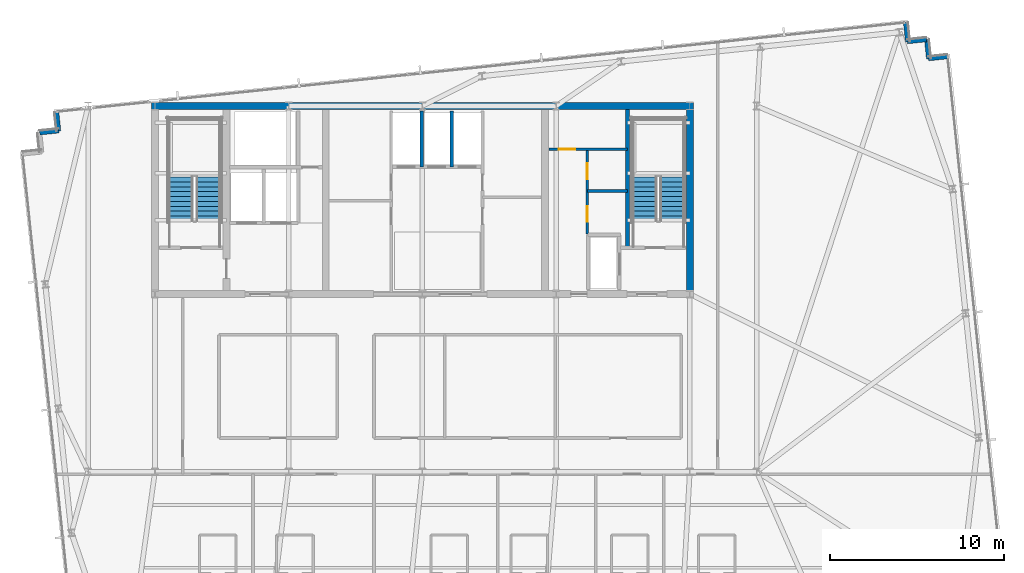
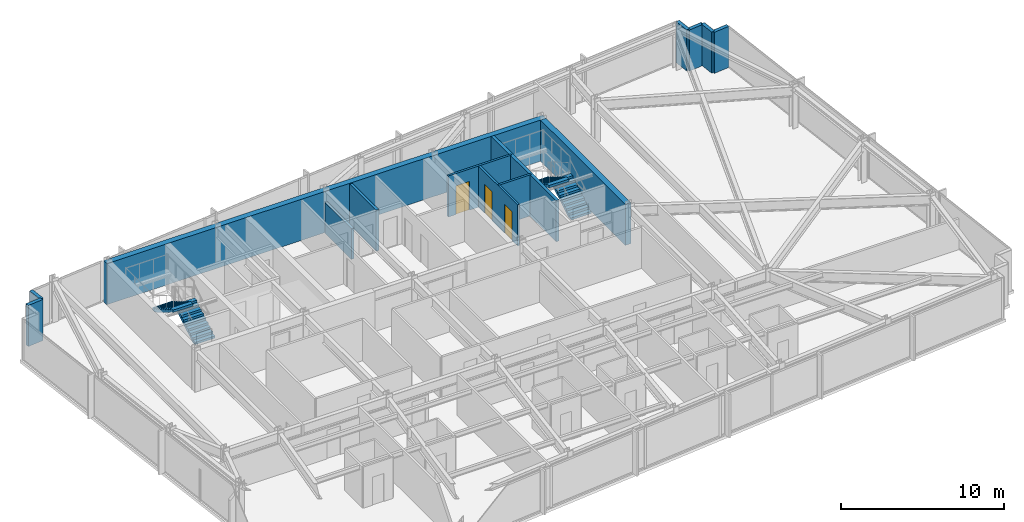
# One storey, part 29 of 33: 14 walls, 4 stair flights, 3 doors, 3 openings, 2 elements without a shape of their own.
"""IFC4 building model written with IfcOpenShell, lengths in metres."""

from ifc_helpers import new_model, si_unit, direction, frame, frame_2d, origin, place, context, subcontext, project, spatial, polyline, rectangle, outline, extrude, material, layer, layer_set, type_object, element, fill, aggregate, save


model = new_model("IFC4")

# Units and contexts
model_context = context("Model", 3, precision=1e-05, world=origin(), true_north=direction((0.0, 1.0)))
body_context = subcontext(model_context, "Body", "Model", "MODEL_VIEW")
ifc_project = project(units=[si_unit("LENGTHUNIT", "METRE"), si_unit("AREAUNIT", "SQUARE_METRE"), si_unit("VOLUMEUNIT", "CUBIC_METRE"), si_unit("PLANEANGLEUNIT", "RADIAN"), si_unit("MASSUNIT", "GRAM", prefix="KILO")], contexts=[model_context])

# Site, building, storey
site_placement = place(None, origin())
site = spatial("IfcSite", under=ifc_project, at=site_placement, CompositionType="ELEMENT")
building_placement = place(site_placement, origin())
building = spatial("IfcBuilding", under=site, at=building_placement, Name="Yelkora Congress Tower", CompositionType="ELEMENT")
storey_placement = place(building_placement, frame((0.0, 0.0, 237.5)))
storey = spatial("IfcBuildingStorey", under=building, at=storey_placement, Name="L66", CompositionType="ELEMENT", Elevation=237.5)

# Walls
ifc_material_1 = material(Name="Concrete C50/60", Category="concrete")
ifc_layer_1 = layer(ifc_material_1, 0.219970703125)
ifc_layer_set_1 = layer_set([ifc_layer_1], Name="Concrete C50/60")
wall_type_1 = type_object("IfcWallType", Name="WALL-CORE-INT-220", PredefinedType="SHEAR", material=ifc_layer_set_1)
wall_1_placement = place(storey_placement, frame((50.179931640625, 38.050048828125, 0.0), z_axis=(0.0, 0.0, 1.0), x_axis=(0.0, 1.0, 0.0)))
element("IfcWall", 1, at=wall_1_placement, inside=storey, type_object=wall_type_1, Name="L66 ST02 West Stair Shear Wall", PredefinedType="SHEAR", context=body_context, shape_type="SweptSolid", body=[
    extrude(rectangle(XDim=7.949951171875, YDim=0.219970703125, at=frame_2d((3.97509765625, 0.0))), origin(), (0.0, 0.0, 1.0), 3.080078125),
])
ifc_layer_2 = layer(ifc_material_1, 0.39990234375)
ifc_layer_set_2 = layer_set([ifc_layer_2], Name="Concrete C50/60")
wall_type_2 = type_object("IfcWallType", Name="WALL-CORE-INT-400", PredefinedType="SHEAR", material=ifc_layer_set_2)
wall_2_placement = place(storey_placement, frame((22.840087890625, 46.199951171875, 0.0), z_axis=(0.0, 0.0, 1.0), x_axis=(1.0, 0.0, 0.0)))
element("IfcWall", 2, at=wall_2_placement, inside=storey, type_object=wall_type_2, Name="L66 Rear Core North Shear Wall", PredefinedType="SHEAR", context=body_context, shape_type="SweptSolid", body=[
    extrude(rectangle(XDim=31.119873046875, YDim=0.39990234375, at=frame_2d((15.56005859375, 0.0))), origin(), (0.0, 0.0, 1.0), 3.080078125),
])
wall_3_placement = place(storey_placement, frame((53.760009765625, 35.60009765625, 0.0), z_axis=(0.0, 0.0, 1.0), x_axis=(0.0, 1.0, 0.0)))
element("IfcWall", 3, at=wall_3_placement, inside=storey, type_object=wall_type_2, Name="L66 Rear Core Cross Shear Wall E", PredefinedType="SHEAR", context=body_context, shape_type="SweptSolid", body=[
    extrude(rectangle(XDim=10.39990234375, YDim=0.39990234375, at=frame_2d((5.199951171875, 0.0))), origin(), (0.0, 0.0, 1.0), 3.080078125),
])
ifc_material_2 = material(Name="Concrete C40/50", Category="concrete")
ifc_layer_3 = layer(ifc_material_2, 0.239990234375)
ifc_layer_set_3 = layer_set([ifc_layer_3], Name="Concrete C40/50")
wall_type_3 = type_object("IfcWallType", Name="WALL-EXT-LIMESTONE-240", PredefinedType="SOLIDWALL", material=ifc_layer_set_3)
wall_4_placement = place(storey_placement, frame((16.420166015625, 44.65380859375, 0.0), z_axis=(0.0, 0.0, 1.0), x_axis=(0.994541884982, 0.104338099541, 0.0)))
element("IfcWall", 4, at=wall_4_placement, inside=storey, type_object=wall_type_3, Name="L66 Serrated Corner Limestone Pier 8", PredefinedType="SOLIDWALL", context=body_context, shape_type="SweptSolid", body=[
    extrude(rectangle(XDim=1.099853515625, YDim=0.239990234375, at=frame_2d((0.5498046875, 0.0))), origin(), (0.0, 0.0, 1.0), 3.080078125),
])
for number, where, z_axis, x_axis, name in (
    (5, (17.513916015625, 44.7685546875, 0.0), (0.0, 0.0, 1.0), (-0.104534592565, 0.994521251134, 0.0), "L66 Serrated Corner Limestone Pier 9"),
    (6, (66.150390625, 50.986572265625, 0.0), (0.0, 0.0, 1.0), (0.104534592565, -0.994521251134, 0.0), "L66 Serrated Corner Limestone Pier 11"),
    (7, (66.265380859375, 49.892578125, 0.0), (0.0, 0.0, 1.0), (0.994521251134, 0.104534592565, 0.0), "L66 Serrated Corner Limestone Pier 12"),
    (8, (67.359375, 50.007568359375, 0.0), (0.0, 0.0, 1.0), (0.104534592565, -0.994521251134, 0.0), "L66 Serrated Corner Limestone Pier 13"),
    (9, (67.474365234375, 48.91357421875, 0.0), (0.0, 0.0, 1.0), (0.994521251134, 0.104534592565, 0.0), "L66 Serrated Corner Limestone Pier 14"),
):
    element("IfcWall", number, at=place(storey_placement, frame(where, z_axis=z_axis, x_axis=x_axis)), inside=storey, type_object=wall_type_3, Name=name, PredefinedType="SOLIDWALL", context=body_context, shape_type="SweptSolid", body=[
        extrude(rectangle(XDim=1.10009765625, YDim=0.239990234375, at=frame_2d((0.550048828125, 0.0))), origin(), (0.0, 0.0, 1.0), 3.080078125),
    ])

# Wall, opening, door
ifc_material_3 = material(Name="Acoustic metal-stud gypsum partition", Category="gypsum")
ifc_layer_4 = layer(ifc_material_3, 0.14990234375)
ifc_layer_set_4 = layer_set([ifc_layer_4], Name="Acoustic metal-stud gypsum partition")
wall_type_4 = type_object("IfcWallType", Name="WALL-INT-150-NR", PredefinedType="PARTITIONING", material=ifc_layer_set_4)
wall_5_placement = place(storey_placement, frame((45.679931640625, 43.719970703125, 0.0), z_axis=(0.0, 0.0, 1.0), x_axis=(1.0, 0.0, 0.0)))
wall_5 = element("IfcWall", 10, at=wall_5_placement, inside=storey, type_object=wall_type_4, Name="L66 Partition Wall 20", PredefinedType="PARTITIONING", context=body_context, shape_type="SweptSolid", body=[
    extrude(rectangle(XDim=4.5, YDim=0.14990234375, at=frame_2d((2.25, 0.0))), origin(), (0.0, 0.0, 1.0), 3.080078125),
])
opening_1_placement = place(wall_5_placement, frame((0.550048828125, 0.0, 0.0)))
opening_1 = element("IfcOpeningElement", 11, at=opening_1_placement, cuts=wall_5, Name="Opening DR-095N", PredefinedType="OPENING", context=body_context, shape_type="SweptSolid", body=[
    extrude(rectangle(XDim=0.949951171875, YDim=2.14990234375, at=frame_2d((0.47509765625, 1.074951171875))), frame((0.0, 0.0849609375, 0.0), z_axis=(0.0, -1.0, 0.0), x_axis=(1.0, 0.0, 0.0)), (0.0, 0.0, 1.0), 0.169921875),
])
ifc_material_4 = material(Name="Acoustic laminated timber office door", Category="wood")
door_type_1 = type_object("IfcDoorType", Name="DOOR-INT-950", OperationType="NOTDEFINED", PredefinedType="DOOR", material=ifc_material_4)
door_1_placement = place(opening_1_placement, origin())
door_1 = element("IfcDoor", 12, at=door_1_placement, inside=storey, type_object=door_type_1, Name="L66 Accessible WC Door", OperationType="SINGLE_SWING_LEFT", OverallHeight=2.14990234375, OverallWidth=0.949951171875, PredefinedType="DOOR", context=body_context, shape_type="SweptSolid", body=[
    extrude(rectangle(XDim=0.949951171875, YDim=2.14990234375, at=frame_2d((0.47509765625, 1.074951171875))), frame((0.0, 0.02490234375, 0.0), z_axis=(0.0, -1.0, 0.0), x_axis=(1.0, 0.0, 0.0)), (0.0, 0.0, 1.0), 0.050048828125),
])
fill(opening_1, door_1)

# Wall
wall_6_placement = place(storey_placement, frame((47.8798828125, 41.320068359375, 0.0), z_axis=(0.0, 0.0, 1.0), x_axis=(1.0, 0.0, 0.0)))
element("IfcWall", 13, at=wall_6_placement, inside=storey, type_object=wall_type_4, Name="L66 Partition Wall 21", PredefinedType="PARTITIONING", context=body_context, shape_type="SweptSolid", body=[
    extrude(rectangle(XDim=2.300048828125, YDim=0.14990234375, at=frame_2d((1.14990234375, 0.0))), origin(), (0.0, 0.0, 1.0), 3.080078125),
])

# Wall, openings, doors
wall_7_placement = place(storey_placement, frame((47.8798828125, 38.85009765625, 0.0), z_axis=(0.0, 0.0, 1.0), x_axis=(0.0, 1.0, 0.0)))
wall_7 = element("IfcWall", 14, at=wall_7_placement, inside=storey, type_object=wall_type_4, Name="L66 Partition Wall 22", PredefinedType="PARTITIONING", context=body_context, shape_type="SweptSolid", body=[
    extrude(rectangle(XDim=4.869873046875, YDim=0.14990234375, at=frame_2d((2.43505859375, 0.0))), origin(), (0.0, 0.0, 1.0), 3.080078125),
])
opening_2_placement = place(wall_7_placement, frame((0.699951171875, 0.0, 0.0)))
opening_2 = element("IfcOpeningElement", 15, at=opening_2_placement, cuts=wall_7, Name="Opening DR-090N", PredefinedType="OPENING", context=body_context, shape_type="SweptSolid", body=[
    extrude(rectangle(XDim=0.89990234375, YDim=2.14990234375, at=frame_2d((0.449951171875, 1.074951171875))), frame((0.0, 0.0849609375, 0.0), z_axis=(0.0, -1.0, 0.0), x_axis=(1.0, 0.0, 0.0)), (0.0, 0.0, 1.0), 0.169921875),
])
opening_3_placement = place(wall_7_placement, frame((3.14990234375, 0.0, 0.0)))
opening_3 = element("IfcOpeningElement", 16, at=opening_3_placement, cuts=wall_7, Name="Opening DR-090N", PredefinedType="OPENING", context=body_context, shape_type="SweptSolid", body=[
    extrude(rectangle(XDim=0.89990234375, YDim=2.14990234375, at=frame_2d((0.449951171875, 1.074951171875))), frame((0.0, 0.0849609375, 0.0), z_axis=(0.0, -1.0, 0.0), x_axis=(1.0, 0.0, 0.0)), (0.0, 0.0, 1.0), 0.169921875),
])
ifc_material_5 = material(Name="Moisture-resistant laminate door leaf", Category="wood")
door_type_2 = type_object("IfcDoorType", Name="DOOR-INT-900", OperationType="NOTDEFINED", PredefinedType="DOOR", material=ifc_material_5)
door_2_placement = place(opening_2_placement, origin())
door_2 = element("IfcDoor", 17, at=door_2_placement, inside=storey, type_object=door_type_2, Name="L66 Male WC Door", OperationType="SINGLE_SWING_RIGHT", OverallHeight=2.14990234375, OverallWidth=0.89990234375, PredefinedType="DOOR", context=body_context, shape_type="SweptSolid", body=[
    extrude(rectangle(XDim=0.89990234375, YDim=2.14990234375, at=frame_2d((0.449951171875, 1.074951171875))), frame((0.0, 0.02490234375, 0.0), z_axis=(0.0, -1.0, 0.0), x_axis=(1.0, 0.0, 0.0)), (0.0, 0.0, 1.0), 0.050048828125),
])
fill(opening_2, door_2)
door_3_placement = place(opening_3_placement, origin())
door_3 = element("IfcDoor", 18, at=door_3_placement, inside=storey, type_object=door_type_2, Name="L66 Female WC Door", OperationType="SINGLE_SWING_LEFT", OverallHeight=2.14990234375, OverallWidth=0.89990234375, PredefinedType="DOOR", context=body_context, shape_type="SweptSolid", body=[
    extrude(rectangle(XDim=0.89990234375, YDim=2.14990234375, at=frame_2d((0.449951171875, 1.074951171875))), frame((0.0, 0.02490234375, 0.0), z_axis=(0.0, -1.0, 0.0), x_axis=(1.0, 0.0, 0.0)), (0.0, 0.0, 1.0), 0.050048828125),
])
fill(opening_3, door_3)

# Walls
ifc_material_6 = material(Name="Autoclaved aerated concrete blockwork", Category="masonry")
ifc_layer_5 = layer(ifc_material_6, 0.199951171875)
ifc_layer_set_5 = layer_set([ifc_layer_5], Name="Autoclaved aerated concrete blockwork")
wall_type_5 = type_object("IfcWallType", Name="WALL-INT-200-R120", PredefinedType="PARTITIONING", material=ifc_layer_set_5)
wall_8_placement = place(storey_placement, frame((38.35009765625, 42.699951171875, 0.0), z_axis=(0.0, 0.0, 1.0), x_axis=(0.0, 1.0, 0.0)))
element("IfcWall", 19, at=wall_8_placement, inside=storey, type_object=wall_type_5, Name="L66 Partition Wall 9", PredefinedType="PARTITIONING", context=body_context, shape_type="SweptSolid", body=[
    extrude(rectangle(XDim=3.219970703125, YDim=0.199951171875, at=frame_2d((1.60986328125, 0.0))), origin(), (0.0, 0.0, 1.0), 2.31298828125),
])
wall_9_placement = place(storey_placement, frame((40.10009765625, 42.699951171875, 0.0), z_axis=(0.0, 0.0, 1.0), x_axis=(0.0, 1.0, 0.0)))
element("IfcWall", 20, at=wall_9_placement, inside=storey, type_object=wall_type_5, Name="L66 Partition Wall 10", PredefinedType="PARTITIONING", context=body_context, shape_type="SweptSolid", body=[
    extrude(rectangle(XDim=3.219970703125, YDim=0.199951171875, at=frame_2d((1.60986328125, 0.0))), origin(), (0.0, 0.0, 1.0), 3.080078125),
])

# Stair, stair flights
stair_type = type_object("IfcStairType", Name="STAIR-HT-1420-R20-165", PredefinedType="HALF_TURN_STAIR", material=ifc_material_2)
stair_1_placement = place(storey_placement, origin())
stair_1 = element("IfcStair", 21, at=stair_1_placement, inside=storey, type_object=stair_type, Name="West Core Protected Exit Stair ST-01 (L66)", PredefinedType="HALF_TURN_STAIR")
stair_flight_type = type_object("IfcStairFlightType", Name="FLIGHT-1420-N10-R165-G280", PredefinedType="STRAIGHT", material=ifc_material_2)
stair_flight_1_placement = place(storey_placement, frame((26.110107421875, 39.60009765625, 0.0), z_axis=(0.0, 0.0, 1.0), x_axis=(0.0, 1.0, 0.0)))
stair_flight_1 = element("IfcStairFlight", 22, at=stair_flight_1_placement, type_object=stair_flight_type, Name="ST-01 L66 Flight 1", NumberOfRisers=10, NumberOfTreads=9, PredefinedType="STRAIGHT", RiserHeight=0.165, TreadLength=0.28, context=body_context, shape_type="SweptSolid", body=[
    extrude(outline(polyline([(0.0, 0.0), (0.0, 0.1650390625), (0.280029296875, 0.1650390625), (0.280029296875, 0.330078125), (0.56005859375, 0.330078125), (0.56005859375, 0.4951171875), (0.840087890625, 0.4951171875), (0.840087890625, 0.659912109375), (1.1201171875, 0.659912109375), (1.1201171875, 0.824951171875), (1.39990234375, 0.824951171875), (1.39990234375, 0.989990234375), (1.679931640625, 0.989990234375), (1.679931640625, 1.155029296875), (1.9599609375, 1.155029296875), (1.9599609375, 1.320068359375), (2.239990234375, 1.320068359375), (2.239990234375, 1.485107421875), (2.52001953125, 1.485107421875), (2.52001953125, 1.64990234375), (2.52001953125, 1.29931640625), (0.31494140625, 0.0), (0.0, 0.0)])), frame((0.0, 0.7099609375, 0.0), z_axis=(0.0, -1.0, 0.0), x_axis=(1.0, 0.0, 0.0)), (0.0, 0.0, 1.0), 1.419921875),
])
stair_flight_2_placement = place(storey_placement, frame((24.530029296875, 42.1201171875, 1.64990234375), z_axis=(0.0, 0.0, 1.0), x_axis=(0.0, -1.0, 0.0)))
stair_flight_2 = element("IfcStairFlight", 23, at=stair_flight_2_placement, type_object=stair_flight_type, Name="ST-01 L66 Flight 2", NumberOfRisers=10, NumberOfTreads=9, PredefinedType="STRAIGHT", RiserHeight=0.165, TreadLength=0.28, context=body_context, shape_type="SweptSolid", body=[
    extrude(outline(polyline([(0.0, 0.0), (0.0, 0.1650390625), (0.280029296875, 0.1650390625), (0.280029296875, 0.330078125), (0.56005859375, 0.330078125), (0.56005859375, 0.4951171875), (0.840087890625, 0.4951171875), (0.840087890625, 0.659912109375), (1.1201171875, 0.659912109375), (1.1201171875, 0.824951171875), (1.39990234375, 0.824951171875), (1.39990234375, 0.989990234375), (1.679931640625, 0.989990234375), (1.679931640625, 1.155029296875), (1.9599609375, 1.155029296875), (1.9599609375, 1.320068359375), (2.239990234375, 1.320068359375), (2.239990234375, 1.485107421875), (2.52001953125, 1.485107421875), (2.52001953125, 1.64990234375), (2.52001953125, 1.29931640625), (0.31494140625, 0.0), (0.0, 0.0)])), frame((0.0, 0.7099609375, 0.0), z_axis=(0.0, -1.0, 0.0), x_axis=(1.0, 0.0, 0.0)), (0.0, 0.0, 1.0), 1.419921875),
])
aggregate(stair_1, [stair_flight_1, stair_flight_2])

stair_2_placement = place(storey_placement, origin())
stair_2 = element("IfcStair", 24, at=stair_2_placement, inside=storey, type_object=stair_type, Name="East Core Protected Exit Stair ST-02 (L66)", PredefinedType="HALF_TURN_STAIR")
stair_flight_3_placement = place(storey_placement, frame((52.75, 39.60009765625, 0.0), z_axis=(0.0, 0.0, 1.0), x_axis=(0.0, 1.0, 0.0)))
stair_flight_3 = element("IfcStairFlight", 25, at=stair_flight_3_placement, type_object=stair_flight_type, Name="ST-02 L66 Flight 1", NumberOfRisers=10, NumberOfTreads=9, PredefinedType="STRAIGHT", RiserHeight=0.165, TreadLength=0.28, context=body_context, shape_type="SweptSolid", body=[
    extrude(outline(polyline([(0.0, 0.0), (0.0, 0.1650390625), (0.280029296875, 0.1650390625), (0.280029296875, 0.330078125), (0.56005859375, 0.330078125), (0.56005859375, 0.4951171875), (0.840087890625, 0.4951171875), (0.840087890625, 0.659912109375), (1.1201171875, 0.659912109375), (1.1201171875, 0.824951171875), (1.39990234375, 0.824951171875), (1.39990234375, 0.989990234375), (1.679931640625, 0.989990234375), (1.679931640625, 1.155029296875), (1.9599609375, 1.155029296875), (1.9599609375, 1.320068359375), (2.239990234375, 1.320068359375), (2.239990234375, 1.485107421875), (2.52001953125, 1.485107421875), (2.52001953125, 1.64990234375), (2.52001953125, 1.29931640625), (0.31494140625, 0.0), (0.0, 0.0)])), frame((0.0, 0.7099609375, 0.0), z_axis=(0.0, -1.0, 0.0), x_axis=(1.0, 0.0, 0.0)), (0.0, 0.0, 1.0), 1.419921875),
])
stair_flight_4_placement = place(storey_placement, frame((51.169921875, 42.1201171875, 1.64990234375), z_axis=(0.0, 0.0, 1.0), x_axis=(0.0, -1.0, 0.0)))
stair_flight_4 = element("IfcStairFlight", 26, at=stair_flight_4_placement, type_object=stair_flight_type, Name="ST-02 L66 Flight 2", NumberOfRisers=10, NumberOfTreads=9, PredefinedType="STRAIGHT", RiserHeight=0.165, TreadLength=0.28, context=body_context, shape_type="SweptSolid", body=[
    extrude(outline(polyline([(0.0, 0.0), (0.0, 0.1650390625), (0.280029296875, 0.1650390625), (0.280029296875, 0.330078125), (0.56005859375, 0.330078125), (0.56005859375, 0.4951171875), (0.840087890625, 0.4951171875), (0.840087890625, 0.659912109375), (1.1201171875, 0.659912109375), (1.1201171875, 0.824951171875), (1.39990234375, 0.824951171875), (1.39990234375, 0.989990234375), (1.679931640625, 0.989990234375), (1.679931640625, 1.155029296875), (1.9599609375, 1.155029296875), (1.9599609375, 1.320068359375), (2.239990234375, 1.320068359375), (2.239990234375, 1.485107421875), (2.52001953125, 1.485107421875), (2.52001953125, 1.64990234375), (2.52001953125, 1.29931640625), (0.31494140625, 0.0), (0.0, 0.0)])), frame((0.0, 0.7099609375, 0.0), z_axis=(0.0, -1.0, 0.0), x_axis=(1.0, 0.0, 0.0)), (0.0, 0.0, 1.0), 1.419921875),
])
aggregate(stair_2, [stair_flight_3, stair_flight_4])

save(model, "model.ifc")
